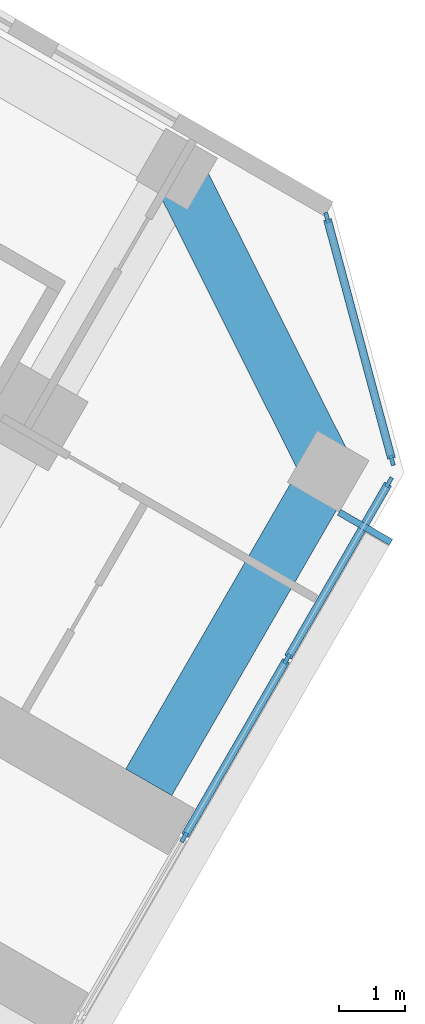
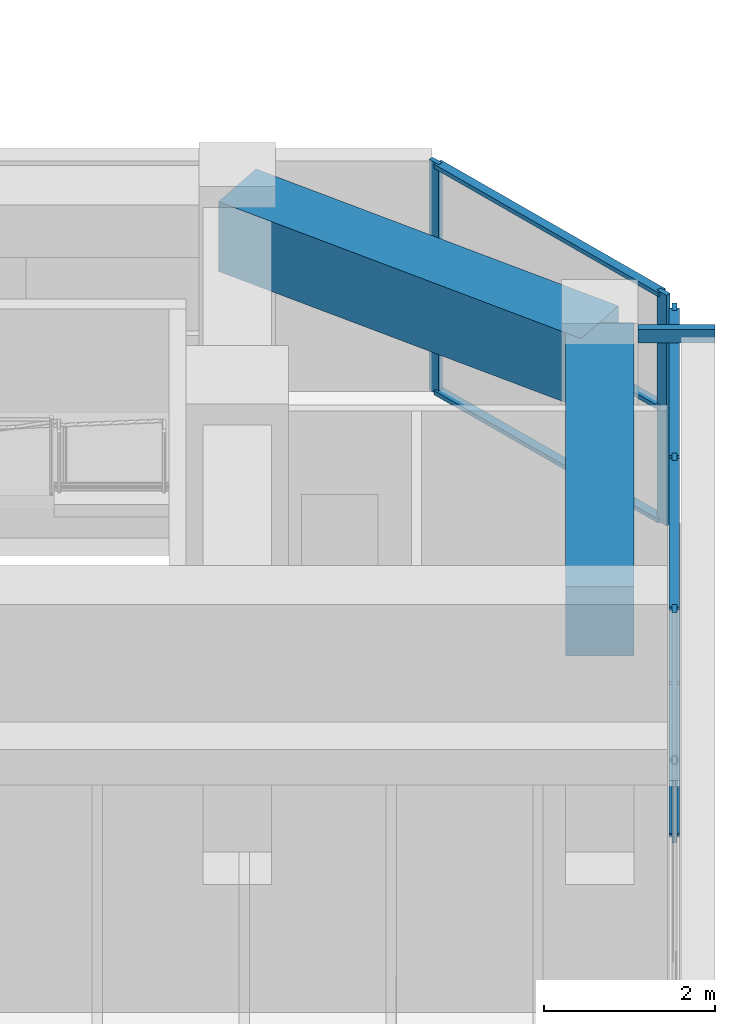
# One storey, part 8 of 20: 13 members, 2 beams, 2 elements without a shape of their own.
"""IFC4 building model written with IfcOpenShell, lengths in metres."""

from ifc_helpers import new_model, si_unit, direction, frame, origin, origin_2d, place, context, subcontext, project, spatial, rectangle, hollow_rectangle, extrude, material, material_profile, profile_set, type_object, element, aggregate, save


model = new_model("IFC4")

# Units and contexts
model_context = context("Model", 3, precision=1e-05, world=origin(), true_north=direction((0.0, 1.0)))
body_context = subcontext(model_context, "Body", "Model", "MODEL_VIEW")
ifc_project = project(units=[si_unit("LENGTHUNIT", "METRE"), si_unit("AREAUNIT", "SQUARE_METRE"), si_unit("VOLUMEUNIT", "CUBIC_METRE"), si_unit("PLANEANGLEUNIT", "RADIAN"), si_unit("MASSUNIT", "GRAM", prefix="KILO")], contexts=[model_context])

# Site, building, storey
site_placement = place(None, origin())
site = spatial("IfcSite", under=ifc_project, at=site_placement, CompositionType="ELEMENT")
building_placement = place(site_placement, origin())
building = spatial("IfcBuilding", under=site, at=building_placement, Name="Kosmar Iwan School Tower", CompositionType="ELEMENT")
storey_placement = place(building_placement, frame((0.0, 0.0, 183.199951171875)))
storey = spatial("IfcBuildingStorey", under=building, at=storey_placement, Name="L46", CompositionType="ELEMENT", Elevation=183.199951171875)

# Beams
ifc_material_1 = material(Name="Concrete C50/60", Category="concrete")
ifc_material_profile_1 = material_profile(ifc_material_1, rectangle(XDim=0.800048828125, YDim=1.0, at=origin_2d()), Name="RC 800x1000 + HD 400x347")
ifc_profile_set_1 = profile_set([ifc_material_profile_1], Name="Concrete C50/60")
beam_type = type_object("IfcBeamType", Name="Composite tip beam 800x1000 HD 400x347", PredefinedType="BEAM", material=ifc_profile_set_1)
beam_1_placement = place(storey_placement, frame((30.517822265625, -5.841552734375, 2.800048828125), z_axis=(0.44809604203, -0.893985423325, 0.0), x_axis=(0.893985423325, 0.44809604203, 0.0)))
element("IfcBeam", 1, at=beam_1_placement, inside=storey, type_object=beam_type, Name="Tip beam CL", PredefinedType="BEAM", context=body_context, shape_type="SweptSolid", body=[
    extrude(rectangle(XDim=0.800048828125, YDim=1.0, at=origin_2d()), origin(), (0.0, 0.0, 1.0), 5.08935546875),
])
beam_2_placement = place(storey_placement, frame((32.79833984375, -10.391357421875, 2.800048828125), z_axis=(-0.499995103361, -0.866028230842, 0.0), x_axis=(0.866028230842, -0.499995103361, 0.0)))
element("IfcBeam", 2, at=beam_2_placement, inside=storey, type_object=beam_type, Name="Tip beam CL to corridor wall", PredefinedType="BEAM", context=body_context, shape_type="SweptSolid", body=[
    extrude(rectangle(XDim=0.800048828125, YDim=1.0, at=origin_2d()), origin(), (0.0, 0.0, 1.0), 5.39990234375),
])

# Member
ifc_material_2 = material(Name="Steel S355", Category="steel")
ifc_material_profile_2 = material_profile(ifc_material_2, hollow_rectangle(XDim=0.10009765625, YDim=0.199951171875, WallThickness=0.008056640625, at=origin_2d()), Name="RHS 200x100x8")
ifc_profile_set_2 = profile_set([ifc_material_profile_2], Name="Steel S355")
member_type_1 = type_object("IfcMemberType", Name="Fin bracket RHS 200x100", PredefinedType="USERDEFINED", material=ifc_profile_set_2)
member_1_placement = place(storey_placement, frame((32.963134765625, -11.006103515625, 3.449951171875), z_axis=(0.866081705922, -0.499902469156, 0.0), x_axis=(0.499902469156, 0.866081705922, 0.0)))
element("IfcMember", 3, at=member_1_placement, inside=storey, type_object=member_type_1, Name="Fin bracket L47", ObjectType="FIN BRACKET", PredefinedType="USERDEFINED", context=body_context, shape_type="SweptSolid", body=[
    extrude(hollow_rectangle(XDim=0.10009765625, YDim=0.199951171875, WallThickness=0.008056640625, at=origin_2d()), origin(), (0.0, 0.0, 1.0), 0.900146484375),
])

# Curtain wall, members
ifc_material_3 = material(Name="Dark glass in black aluminium frame", Category="aluminium")
curtain_wall_type_1 = type_object("IfcCurtainWallType", Name="Tower curtain wall dark glass", PredefinedType="USERDEFINED", material=ifc_material_3)
curtain_wall_1_placement = place(storey_placement, origin())
curtain_wall_1 = element("IfcCurtainWall", 4, at=curtain_wall_1_placement, inside=storey, type_object=curtain_wall_type_1, Name="Curtain wall L46-F03", ObjectType="UNITISED CURTAIN WALL", PredefinedType="USERDEFINED")
ifc_material_4 = material(Name="Black anodised aluminium", Category="aluminium")
ifc_material_profile_3 = material_profile(ifc_material_4, rectangle(XDim=0.06005859375, YDim=0.159912109375, at=origin_2d()), Name="MULLION 60x160")
ifc_profile_set_3 = profile_set([ifc_material_profile_3], Name="Black anodised aluminium")
member_type_2 = type_object("IfcMemberType", Name="Mullion 60x160", PredefinedType="MULLION", material=ifc_profile_set_3)
member_2_placement = place(storey_placement, frame((30.631103515625, -15.8955078125, 0.0), z_axis=(0.0, 0.0, 1.0), x_axis=(-0.866025405329, 0.499999997325, 0.0)))
member_2 = element("IfcMember", 5, at=member_2_placement, type_object=member_type_2, Name="CW1 mullion 4", PredefinedType="MULLION", context=body_context, shape_type="SweptSolid", body=[
    extrude(rectangle(XDim=0.06005859375, YDim=0.159912109375, at=origin_2d()), origin(), (0.0, 0.0, 1.0), 3.300048828125),
])
member_3_placement = place(storey_placement, frame((32.1806640625, -13.21142578125, 0.0), z_axis=(0.0, 0.0, 1.0), x_axis=(-0.866025405329, 0.499999997325, 0.0)))
member_3 = element("IfcMember", 6, at=member_3_placement, type_object=member_type_2, Name="CW1 mullion 5", PredefinedType="MULLION", context=body_context, shape_type="SweptSolid", body=[
    extrude(rectangle(XDim=0.06005859375, YDim=0.159912109375, at=origin_2d()), origin(), (0.0, 0.0, 1.0), 3.300048828125),
])
member_4_placement = place(storey_placement, frame((33.71533203125, -10.55322265625, 0.0), z_axis=(0.0, 0.0, 1.0), x_axis=(-0.866025405329, 0.499999997325, 0.0)))
member_4 = element("IfcMember", 7, at=member_4_placement, type_object=member_type_2, Name="CW1 mullion 6", PredefinedType="MULLION", context=body_context, shape_type="SweptSolid", body=[
    extrude(rectangle(XDim=0.06005859375, YDim=0.159912109375, at=origin_2d()), origin(), (0.0, 0.0, 1.0), 3.300048828125),
])

ifc_material_5 = material(Name="Dark glass in black aluminium frame", Category="aluminium")
curtain_wall_type_2 = type_object("IfcCurtainWallType", Name="Chamfer curtain wall dark glass", PredefinedType="USERDEFINED", material=ifc_material_5)
curtain_wall_2_placement = place(storey_placement, origin())
curtain_wall_2 = element("IfcCurtainWall", 8, at=curtain_wall_2_placement, inside=storey, type_object=curtain_wall_type_2, Name="Curtain wall L46-F04", ObjectType="FACETED CURTAIN WALL", PredefinedType="USERDEFINED")
member_5_placement = place(storey_placement, frame((33.7587890625, -10.2236328125, 0.0), z_axis=(0.0, 0.0, 1.0), x_axis=(-0.965925875495, -0.258818861462, 0.0)))
member_5 = element("IfcMember", 9, at=member_5_placement, type_object=member_type_2, Name="CW2 mullion 1", PredefinedType="MULLION", context=body_context, shape_type="SweptSolid", body=[
    extrude(rectangle(XDim=0.06005859375, YDim=0.159912109375, at=origin_2d()), origin(), (0.0, 0.0, 1.0), 3.300048828125),
])
member_6_placement = place(storey_placement, frame((32.78076171875, -6.5732421875, 0.0), z_axis=(0.0, 0.0, 1.0), x_axis=(-0.965925875495, -0.258818861462, 0.0)))
member_6 = element("IfcMember", 10, at=member_6_placement, type_object=member_type_2, Name="CW2 mullion 2", PredefinedType="MULLION", context=body_context, shape_type="SweptSolid", body=[
    extrude(rectangle(XDim=0.06005859375, YDim=0.159912109375, at=origin_2d()), origin(), (0.0, 0.0, 1.0), 3.300048828125),
])

# Member
ifc_material_6 = material(Name="Black anodised aluminium", Category="aluminium")
ifc_material_profile_4 = material_profile(ifc_material_6, rectangle(XDim=0.1201171875, YDim=0.06005859375, at=origin_2d()), Name="TRANSOM 60x120")
ifc_profile_set_4 = profile_set([ifc_material_profile_4], Name="Black anodised aluminium")
member_type_3 = type_object("IfcMemberType", Name="Transom 60x120", PredefinedType="USERDEFINED", material=ifc_profile_set_4)
member_7_placement = place(storey_placement, frame((30.64599609375, -15.869384765625, 0.030029296875), z_axis=(0.500035348339, 0.866004994449, 0.0), x_axis=(-0.866004994449, 0.500035348339, 0.0)))
member_7 = element("IfcMember", 11, at=member_7_placement, type_object=member_type_3, Name="CW1 transom 4.1", ObjectType="TRANSOM", PredefinedType="USERDEFINED", context=body_context, shape_type="SweptSolid", body=[
    extrude(rectangle(XDim=0.1201171875, YDim=0.06005859375, at=origin_2d()), origin(), (0.0, 0.0, 1.0), 3.039306640625),
])

member_8_placement = place(storey_placement, frame((30.64599609375, -15.869384765625, 3.27001953125), z_axis=(0.500035348339, 0.866004994449, 0.0), x_axis=(-0.866004994449, 0.500035348339, 0.0)))
member_8 = element("IfcMember", 12, at=member_8_placement, type_object=member_type_3, Name="CW1 transom 4.2", ObjectType="TRANSOM", PredefinedType="USERDEFINED", context=body_context, shape_type="SweptSolid", body=[
    extrude(rectangle(XDim=0.1201171875, YDim=0.06005859375, at=origin_2d()), origin(), (0.0, 0.0, 1.0), 3.039306640625),
])

member_9_placement = place(storey_placement, frame((32.19580078125, -13.185302734375, 0.030029296875), z_axis=(0.500022102064, 0.866012642776, 0.0), x_axis=(-0.866012642776, 0.500022102064, 0.0)))
member_9 = element("IfcMember", 13, at=member_9_placement, type_object=member_type_3, Name="CW1 transom 5.1", ObjectType="TRANSOM", PredefinedType="USERDEFINED", context=body_context, shape_type="SweptSolid", body=[
    extrude(rectangle(XDim=0.1201171875, YDim=0.06005859375, at=origin_2d()), origin(), (0.0, 0.0, 1.0), 3.009033203125),
])

member_10_placement = place(storey_placement, frame((32.19580078125, -13.185302734375, 3.27001953125), z_axis=(0.500022102064, 0.866012642776, 0.0), x_axis=(-0.866012642776, 0.500022102064, 0.0)))
member_10 = element("IfcMember", 14, at=member_10_placement, type_object=member_type_3, Name="CW1 transom 5.2", ObjectType="TRANSOM", PredefinedType="USERDEFINED", context=body_context, shape_type="SweptSolid", body=[
    extrude(rectangle(XDim=0.1201171875, YDim=0.06005859375, at=origin_2d()), origin(), (0.0, 0.0, 1.0), 3.009033203125),
])

aggregate(curtain_wall_1, [member_2, member_3, member_4, member_7, member_8, member_9, member_10])

member_11_placement = place(storey_placement, frame((33.7509765625, -10.194580078125, 0.030029296875), z_axis=(-0.258843273983, 0.965919333854, 0.0), x_axis=(-0.965919333854, -0.258843273983, 0.0)))
member_11 = element("IfcMember", 15, at=member_11_placement, type_object=member_type_3, Name="CW2 transom 1.1", ObjectType="TRANSOM", PredefinedType="USERDEFINED", context=body_context, shape_type="SweptSolid", body=[
    extrude(rectangle(XDim=0.1201171875, YDim=0.06005859375, at=origin_2d()), origin(), (0.0, 0.0, 1.0), 3.718994140625),
])

member_12_placement = place(storey_placement, frame((33.7509765625, -10.194580078125, 1.650146484375), z_axis=(-0.258843273983, 0.965919333854, 0.0), x_axis=(-0.965919333854, -0.258843273983, 0.0)))
member_12 = element("IfcMember", 16, at=member_12_placement, type_object=member_type_3, Name="CW2 transom 1.2", ObjectType="TRANSOM", PredefinedType="USERDEFINED", context=body_context, shape_type="SweptSolid", body=[
    extrude(rectangle(XDim=0.1201171875, YDim=0.06005859375, at=origin_2d()), origin(), (0.0, 0.0, 1.0), 3.718994140625),
])

member_13_placement = place(storey_placement, frame((33.7509765625, -10.194580078125, 3.27001953125), z_axis=(-0.258843273983, 0.965919333854, 0.0), x_axis=(-0.965919333854, -0.258843273983, 0.0)))
member_13 = element("IfcMember", 17, at=member_13_placement, type_object=member_type_3, Name="CW2 transom 1.3", ObjectType="TRANSOM", PredefinedType="USERDEFINED", context=body_context, shape_type="SweptSolid", body=[
    extrude(rectangle(XDim=0.1201171875, YDim=0.06005859375, at=origin_2d()), origin(), (0.0, 0.0, 1.0), 3.718994140625),
])

aggregate(curtain_wall_2, [member_5, member_6, member_11, member_12, member_13])

save(model, "model.ifc")
